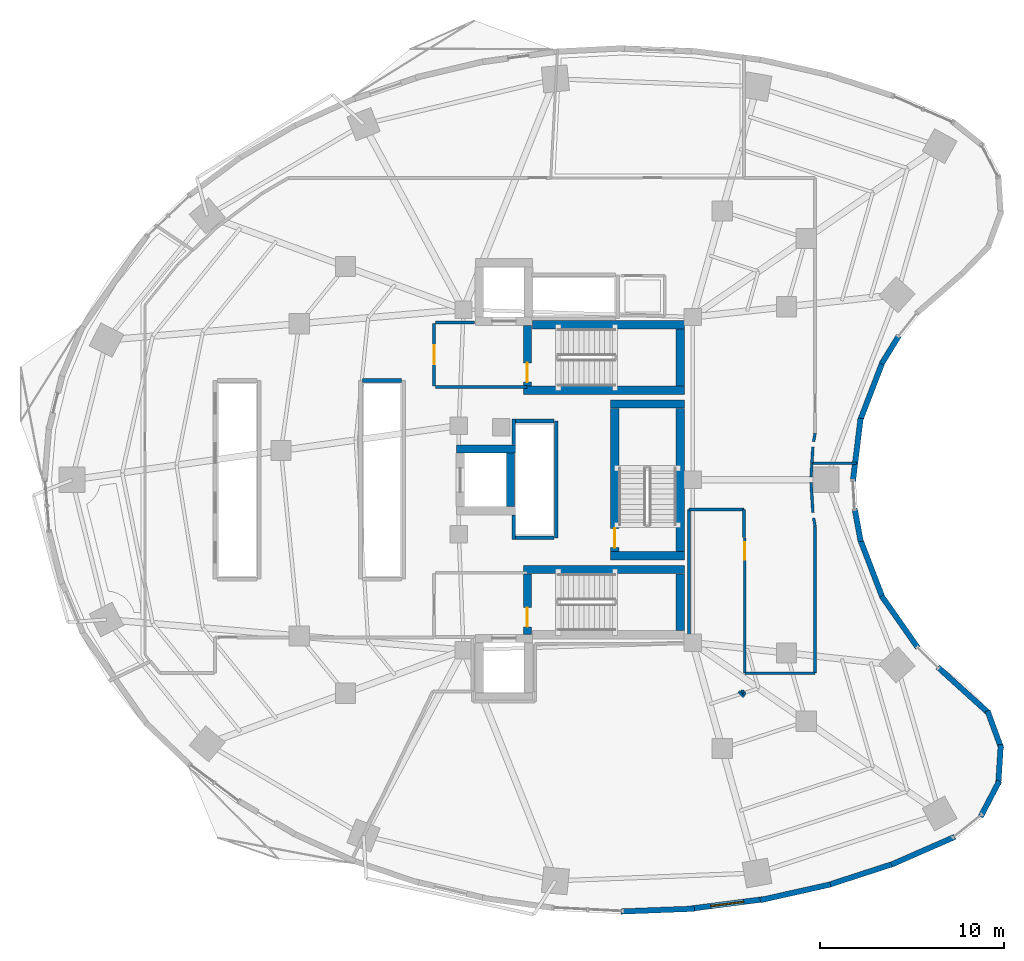
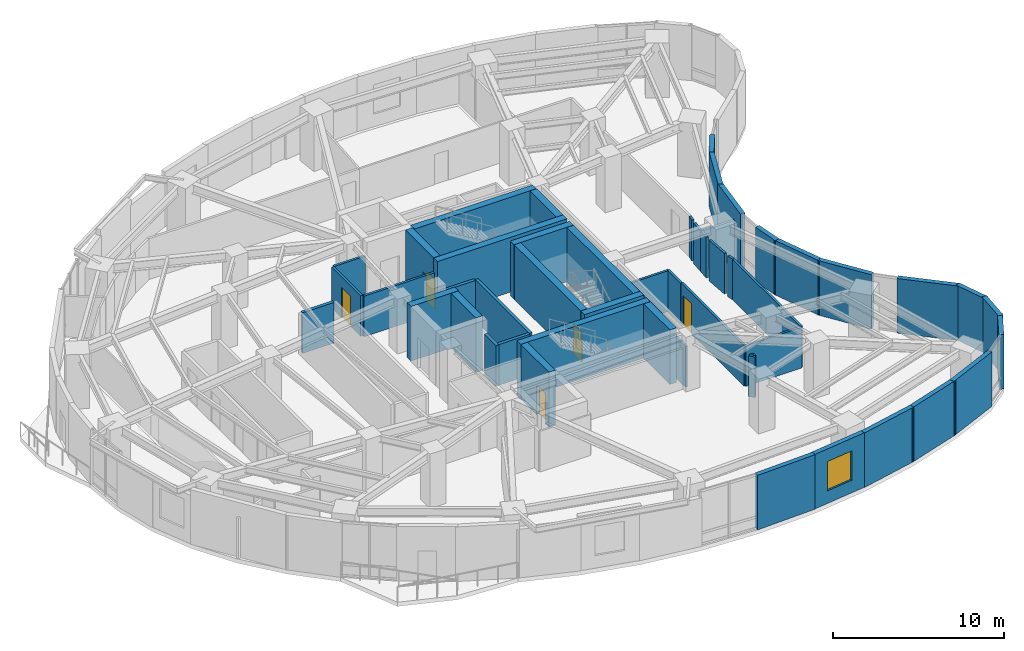
# One storey, part 9 of 13: 52 walls, 5 doors, 1 window, 6 openings.
"""IFC4 building model written with IfcOpenShell, lengths in metres."""

import ifcopenshell
import ifcopenshell.guid

model = None  # the IFC model being written
_history = None  # IfcOwnerHistory: only IFC2X3 demands one
_inside = {}  # id of a spatial element -> (the spatial element, [elements in it])
_under = {}  # id of a project, library or spatial element -> (it, [spatial elements below it])
_declared = {}  # id of a project -> (the project, [libraries it declares])
_typed = {}  # id of a type object -> (the type object, [elements of that type])
_made_of = {}  # id of a material, layer set ... -> (it, [elements and type objects made of it])


def new_model(schema):
    """Start an empty IFC model of exactly this schema.

    Asked for "IFC4X3", IfcOpenShell would pick the latest addendum, in which some entities
    have other attributes; the version numbers below select the first issue.
    IFC2X3 requires an IfcOwnerHistory on every rooted entity: one is made here for all.
    """
    global model, _history
    if schema == "IFC4X3":
        model = ifcopenshell.file(schema_version=(4, 3, 0, 0))
    else:
        model = ifcopenshell.file(schema=schema)
    _inside.clear()
    _under.clear()
    _declared.clear()
    _typed.clear()
    _made_of.clear()
    _history = None
    if model.schema == "IFC2X3":
        org = make("IfcOrganization", Name="unknown")
        user = make(
            "IfcPersonAndOrganization",
            ThePerson=make("IfcPerson", FamilyName="unknown"),
            TheOrganization=org,
        )
        app = make(
            "IfcApplication",
            ApplicationDeveloper=org,
            Version="unknown",
            ApplicationFullName="unknown",
            ApplicationIdentifier="unknown",
        )
        _history = make(
            "IfcOwnerHistory",
            OwningUser=user,
            OwningApplication=app,
            ChangeAction="ADDED",
            CreationDate=0,
        )
    return model


def make(cls, **values):
    """One entity of the class cls with the attributes given. An attribute that is None is left unset."""
    return model.create_entity(
        cls, **{name: value for name, value in values.items() if value is not None}
    )


def rooted(cls, **values):
    """An entity with a GlobalId (a new one), such as an element, a storey or a relation."""
    return make(cls, GlobalId=ifcopenshell.guid.new(), OwnerHistory=_history, **values)


def si_unit(unit_type, name, prefix=None):
    """IfcSIUnit, for example si_unit("LENGTHUNIT", "METRE", prefix="MILLI")."""
    return make("IfcSIUnit", UnitType=unit_type, Prefix=prefix, Name=name)


def assignment(units):
    """IfcUnitAssignment: the units of a project."""
    return None if units is None else make("IfcUnitAssignment", Units=units)


def point(xyz):
    """IfcCartesianPoint."""
    return None if xyz is None else make("IfcCartesianPoint", Coordinates=xyz)


def direction(xyz):
    """IfcDirection."""
    return None if xyz is None else make("IfcDirection", DirectionRatios=xyz)


def frame(location, z_axis=None, x_axis=None):
    """IfcAxis2Placement3D, a coordinate frame: its origin and axes. An axis left out is left unset."""
    return make(
        "IfcAxis2Placement3D",
        Location=point(location),
        Axis=direction(z_axis),
        RefDirection=direction(x_axis),
    )


def frame_2d(location, x_axis=None):
    """IfcAxis2Placement2D, a coordinate frame in the plane: its origin and x axis."""
    return make(
        "IfcAxis2Placement2D", Location=point(location), RefDirection=direction(x_axis)
    )


def origin():
    """The frame at (0, 0, 0) with its axes left unset."""
    return frame((0.0, 0.0, 0.0))


def place(relative_to, where):
    """IfcLocalPlacement: puts the frame where relative to a parent placement (None: the world)."""
    return make(
        "IfcLocalPlacement", PlacementRelTo=relative_to, RelativePlacement=where
    )


def context(
    kind, dimensions, precision=None, world=None, true_north=None, identifier=None
):
    """IfcGeometricRepresentationContext, for example the 3D "Model" context."""
    return make(
        "IfcGeometricRepresentationContext",
        ContextIdentifier=identifier,
        ContextType=kind,
        CoordinateSpaceDimension=dimensions,
        Precision=precision,
        WorldCoordinateSystem=world,
        TrueNorth=true_north,
    )


def subcontext(parent, identifier, kind, view, scale=None):
    """IfcGeometricRepresentationSubContext, for example "Body" below "Model"."""
    return make(
        "IfcGeometricRepresentationSubContext",
        ContextIdentifier=identifier,
        ContextType=kind,
        ParentContext=parent,
        TargetScale=scale,
        TargetView=view,
    )


def project(units=None, contexts=None):
    """IfcProject with its units and contexts."""
    return rooted(
        "IfcProject",
        Name="project",
        RepresentationContexts=contexts,
        UnitsInContext=assignment(units),
    )


def spatial(cls, under=None, at=None, **own):
    """A site, building, storey or space (cls), placed at a placement, below another one or the project."""
    s = rooted(cls, ObjectPlacement=at, **own)
    if under is not None:
        _under.setdefault(under.id(), (under, []))[1].append(s)
    return s


def profile(cls, at=None, kind="AREA", **sizes):
    """A parametric profile (cls). Its sizes go by their IFC names, for example OverallWidth=200.0."""
    return make(cls, ProfileType=kind, Position=at, **sizes)


def rectangle(**sizes):
    """IfcRectangleProfileDef."""
    return profile("IfcRectangleProfileDef", **sizes)


def extrude(swept, where, along, depth):
    """IfcExtrudedAreaSolid: the profile swept, set in the frame where, extruded along a direction by depth."""
    return make(
        "IfcExtrudedAreaSolid",
        SweptArea=swept,
        Position=where,
        ExtrudedDirection=direction(along),
        Depth=depth,
    )


def shape(context_of_items, identifier, shape_type, items):
    """IfcShapeRepresentation: the items that make up one representation, for example the "Body"."""
    return make(
        "IfcShapeRepresentation",
        ContextOfItems=context_of_items,
        RepresentationIdentifier=identifier,
        RepresentationType=shape_type,
        Items=items,
    )


def material(Name=None, Category=None):
    """IfcMaterial."""
    return make("IfcMaterial", Name=Name, Category=Category)


def layer(
    of_material, thickness, ventilated=None, Name=None, Category=None, Priority=None
):
    """IfcMaterialLayer: one layer of a wall or slab, of a material (None: an air gap)."""
    return make(
        "IfcMaterialLayer",
        Material=of_material,
        LayerThickness=thickness,
        IsVentilated=ventilated,
        Name=Name,
        Category=Category,
        Priority=Priority,
    )


def layer_set(layers, Name=None):
    """IfcMaterialLayerSet."""
    return make("IfcMaterialLayerSet", MaterialLayers=layers, LayerSetName=Name)


def made_of(thing, what):
    """Note that an element or type object is made of a material, layer set ...; save() writes the relation."""
    if what is not None:
        _made_of.setdefault(what.id(), (what, []))[1].append(thing)
    return thing


def type_object(cls, material=None, **own):
    """A type object (cls), such as IfcWallType, which elements share."""
    return made_of(rooted(cls, **own), material)


def element(
    cls,
    number,
    at=None,
    inside=None,
    cuts=None,
    type_object=None,
    material=None,
    context=None,
    identifier="Body",
    shape_type=None,
    held_by="IfcProductDefinitionShape",
    body=None,
    shapes=None,
    **own,
):
    """One element of the class cls, such as IfcWall. Its Tag is "e" and its number.

    at: its placement. inside: the storey or other place that contains it. cuts: it is an
    opening in that element (IfcRelVoidsElement). A single representation is given by context,
    identifier, shape_type and body (its items); several are given by shapes. held_by: the class
    of the entity that holds the representations. save() writes the other relations.
    """
    e = rooted(cls, Tag="e%d" % number, ObjectPlacement=at, **own)
    if body is not None:
        shapes = [shape(context, identifier, shape_type, body)]
    if shapes is not None:
        e.Representation = make(held_by, Representations=shapes)
    if inside is not None:
        _inside.setdefault(inside.id(), (inside, []))[1].append(e)
    if cuts is not None:
        rooted(
            "IfcRelVoidsElement", RelatingBuildingElement=cuts, RelatedOpeningElement=e
        )
    if type_object is not None:
        _typed.setdefault(type_object.id(), (type_object, []))[1].append(e)
    return made_of(e, material)


def fill(opening, filler):
    """IfcRelFillsElement: the door or window that sits in an opening."""
    return rooted(
        "IfcRelFillsElement",
        RelatingOpeningElement=opening,
        RelatedBuildingElement=filler,
    )


def aggregate(whole, parts):
    """IfcRelAggregates: a whole, such as a stair, and the parts it consists of."""
    return rooted("IfcRelAggregates", RelatingObject=whole, RelatedObjects=parts)


def save(model, path):
    """Write the relations noted so far, then the file.

    IfcRelAggregates (storeys below a building ...), IfcRelContainedInSpatialStructure (elements
    in a storey), IfcRelDefinesByType, IfcRelAssociatesMaterial and IfcRelDeclares: one each for
    every whole, place, type object, material and project.
    """
    for whole, parts in _under.values():
        aggregate(whole, parts)
    for where, things in _inside.values():
        rooted(
            "IfcRelContainedInSpatialStructure",
            RelatedElements=things,
            RelatingStructure=where,
        )
    for kind, things in _typed.values():
        rooted("IfcRelDefinesByType", RelatedObjects=things, RelatingType=kind)
    for what, things in _made_of.values():
        rooted("IfcRelAssociatesMaterial", RelatedObjects=things, RelatingMaterial=what)
    for by, libraries in _declared.values():
        rooted("IfcRelDeclares", RelatingContext=by, RelatedDefinitions=libraries)
    model.write(path)


model = new_model("IFC4")

# Units and contexts
model_context = context("Model", 3, precision=1e-05, world=origin(), true_north=direction((0.0, 1.0)))
body_context = subcontext(model_context, "Body", "Model", "MODEL_VIEW")
ifc_project = project(units=[si_unit("LENGTHUNIT", "METRE"), si_unit("AREAUNIT", "SQUARE_METRE"), si_unit("VOLUMEUNIT", "CUBIC_METRE"), si_unit("PLANEANGLEUNIT", "RADIAN"), si_unit("MASSUNIT", "GRAM", prefix="KILO")], contexts=[model_context])

# Site, building, storey
site_placement = place(None, origin())
site = spatial("IfcSite", under=ifc_project, at=site_placement, CompositionType="ELEMENT")
building_placement = place(site_placement, origin())
building = spatial("IfcBuilding", under=site, at=building_placement, Name="Korentha Bioscience Tower", CompositionType="ELEMENT")
storey_placement = place(building_placement, frame((0.0, 0.0, 67.800048828125)))
storey = spatial("IfcBuildingStorey", under=building, at=storey_placement, Name="L15", CompositionType="ELEMENT", Elevation=67.800048828125)

# Wall, opening, door
ifc_material_1 = material(Name="Double-Stud Acoustic Gypsum", Category="gypsum")
ifc_layer_1 = layer(ifc_material_1, 0.14990234375, Name="Double-Stud Acoustic Gypsum")
ifc_layer_set_1 = layer_set([ifc_layer_1], Name="Double-Stud Acoustic Gypsum (IW-L150)")
wall_type_1 = type_object("IfcWallType", Name="Acoustic Laboratory Partition Wall 150", PredefinedType="PARTITIONING", material=ifc_layer_set_1)
wall_1_placement = place(storey_placement, frame((40.389892578125, 23.851318359375, 0.0), z_axis=(0.0, 0.0, 1.0), x_axis=(0.0, -1.0, 0.0)))
wall_1 = element("IfcWall", 1, at=wall_1_placement, inside=storey, type_object=wall_type_1, Name="L15 Biomechanical Motion Analysis Lab 02 Entrance Wall", PredefinedType="PARTITIONING", context=body_context, shape_type="SweptSolid", body=[
    extrude(rectangle(XDim=7.351318359375, YDim=0.14990234375, at=frame_2d((3.67578125, 0.0))), origin(), (0.0, 0.0, 1.0), 2.909912109375),
])
opening_1_placement = place(wall_1_placement, frame((0.239990234375, 0.0, 0.0)))
opening_1 = element("IfcOpeningElement", 2, at=opening_1_placement, cuts=wall_1, Name="Opening ID-10R", PredefinedType="OPENING", context=body_context, shape_type="SweptSolid", body=[
    extrude(rectangle(XDim=0.949951171875, YDim=2.14990234375, at=frame_2d((0.47509765625, 1.074951171875))), frame((0.0, 0.08984375, 0.0), z_axis=(0.0, -1.0, 0.0), x_axis=(1.0, 0.0, 0.0)), (0.0, 0.0, 1.0), 0.1796875),
])
ifc_material_2 = material(Name="Phenolic Laminate Timber Core", Category="wood")
door_type_1 = type_object("IfcDoorType", Name="Laboratory Single Leaf Door 950x2150 Right", OperationType="SINGLE_SWING_RIGHT", PredefinedType="DOOR", material=ifc_material_2)
door_1_placement = place(opening_1_placement, origin())
door_1 = element("IfcDoor", 3, at=door_1_placement, inside=storey, type_object=door_type_1, Name="L15 Biomechanical Motion Analysis Lab 02 Door", OperationType="SINGLE_SWING_RIGHT", OverallHeight=2.14990234375, OverallWidth=0.949951171875, PredefinedType="DOOR", context=body_context, shape_type="SweptSolid", body=[
    extrude(rectangle(XDim=0.949951171875, YDim=2.14990234375, at=frame_2d((0.47509765625, 1.074951171875))), frame((0.0, 0.02490234375, 0.0), z_axis=(0.0, -1.0, 0.0), x_axis=(1.0, 0.0, 0.0)), (0.0, 0.0, 1.0), 0.050048828125),
])
fill(opening_1, door_1)

# Walls
wall_2_placement = place(storey_placement, frame((37.360107421875, 18.10009765625, 0.0), z_axis=(0.0, 0.0, 1.0), x_axis=(0.0, 1.0, 0.0)))
element("IfcWall", 4, at=wall_2_placement, inside=storey, type_object=wall_type_1, Name="L15 Interior Partition 021", PredefinedType="PARTITIONING", context=body_context, shape_type="SweptSolid", body=[
    extrude(rectangle(XDim=7.289794921875, YDim=0.14990234375, at=frame_2d((3.64501953125, 0.0))), origin(), (0.0, 0.0, 1.0), 2.909912109375),
])
wall_3_placement = place(storey_placement, frame((37.360107421875, 25.389892578125, 0.0), z_axis=(0.0, 0.0, 1.0), x_axis=(1.0, 0.0, 0.0)))
element("IfcWall", 5, at=wall_3_placement, inside=storey, type_object=wall_type_1, Name="L15 Interior Partition 022", PredefinedType="PARTITIONING", context=body_context, shape_type="SweptSolid", body=[
    extrude(rectangle(XDim=2.98779296875, YDim=0.14990234375, at=frame_2d((1.493896484375, 0.0))), origin(), (0.0, 0.0, 1.0), 2.909912109375),
])
wall_4_placement = place(storey_placement, frame((40.347900390625, 25.389892578125, 0.0), z_axis=(0.0, 0.0, 1.0), x_axis=(0.0, -1.0, 0.0)))
element("IfcWall", 6, at=wall_4_placement, inside=storey, type_object=wall_type_1, Name="L15 Interior Partition 023", PredefinedType="PARTITIONING", context=body_context, shape_type="SweptSolid", body=[
    extrude(rectangle(XDim=1.522705078125, YDim=0.14990234375, at=frame_2d((0.76123046875, 0.0))), origin(), (0.0, 0.0, 1.0), 2.909912109375),
])
wall_5_placement = place(storey_placement, frame((40.39990234375, 16.489990234375, 0.0), z_axis=(0.0, 0.0, 1.0), x_axis=(1.0, 0.0, 0.0)))
element("IfcWall", 7, at=wall_5_placement, inside=storey, type_object=wall_type_1, Name="L15 Interior Partition 024", PredefinedType="PARTITIONING", context=body_context, shape_type="SweptSolid", body=[
    extrude(rectangle(XDim=3.800048828125, YDim=0.14990234375, at=frame_2d((1.89990234375, 0.0))), origin(), (0.0, 0.0, 1.0), 2.909912109375),
])
wall_6_placement = place(storey_placement, frame((44.2099609375, 16.5, 0.0), z_axis=(0.0, 0.0, 1.0), x_axis=(0.0, 1.0, 0.0)))
element("IfcWall", 8, at=wall_6_placement, inside=storey, type_object=wall_type_1, Name="L15 Interior Partition 025", PredefinedType="PARTITIONING", context=body_context, shape_type="SweptSolid", body=[
    extrude(rectangle(XDim=7.970458984375, YDim=0.14990234375, at=frame_2d((3.9853515625, 0.0))), origin(), (0.0, 0.0, 1.0), 2.909912109375),
])
wall_7_placement = place(storey_placement, frame((44.209716796875, 24.47216796875, 0.0), z_axis=(0.0, 0.0, 1.0), x_axis=(-0.181936414242, 0.983310297502, 0.0)))
element("IfcWall", 9, at=wall_7_placement, inside=storey, type_object=wall_type_1, Name="L15 Interior Partition 026", PredefinedType="PARTITIONING", context=body_context, shape_type="SweptSolid", body=[
    extrude(rectangle(XDim=0.45751953125, YDim=0.14990234375, at=frame_2d((0.228759765625, 0.0))), origin(), (0.0, 0.0, 1.0), 2.909912109375),
])
wall_8_placement = place(storey_placement, frame((44.090087890625, 25.217041015625, 0.0), z_axis=(0.0, 0.0, 1.0), x_axis=(-0.060976688407, 0.998139190429, 0.0)))
element("IfcWall", 10, at=wall_8_placement, inside=storey, type_object=wall_type_1, Name="L15 Interior Partition 027", PredefinedType="PARTITIONING", context=body_context, shape_type="SweptSolid", body=[
    extrude(rectangle(XDim=1.637451171875, YDim=0.14990234375, at=frame_2d((0.81884765625, 0.0))), origin(), (0.0, 0.0, 1.0), 2.909912109375),
])
wall_9_placement = place(storey_placement, frame((43.990234375, 27.1484375, 0.0), z_axis=(0.0, 0.0, 1.0), x_axis=(0.061123284078, 0.998130224041, 0.0)))
element("IfcWall", 11, at=wall_9_placement, inside=storey, type_object=wall_type_1, Name="L15 Interior Partition 028", PredefinedType="PARTITIONING", context=body_context, shape_type="SweptSolid", body=[
    extrude(rectangle(XDim=0.7509765625, YDim=0.14990234375, at=frame_2d((0.37548828125, 0.0))), origin(), (0.0, 0.0, 1.0), 2.909912109375),
])
wall_10_placement = place(storey_placement, frame((44.0361328125, 27.89794921875, 0.0), z_axis=(0.0, 0.0, 1.0), x_axis=(1.0, 0.0, 0.0)))
element("IfcWall", 12, at=wall_10_placement, inside=storey, type_object=wall_type_1, Name="L15 Interior Partition 029", PredefinedType="PARTITIONING", context=body_context, shape_type="SweptSolid", body=[
    extrude(rectangle(XDim=2.4140625, YDim=0.14990234375, at=frame_2d((1.20703125, 0.0))), origin(), (0.0, 0.0, 1.0), 2.909912109375),
])
wall_11_placement = place(storey_placement, frame((40.35205078125, 15.311767578125, 0.0), z_axis=(0.0, 0.0, 1.0), x_axis=(0.0, 1.0, 0.0)))
element("IfcWall", 13, at=wall_11_placement, inside=storey, type_object=wall_type_1, Name="L15 Interior Partition 031", PredefinedType="PARTITIONING", context=body_context, shape_type="SweptSolid", body=[
    extrude(rectangle(XDim=0.18603515625, YDim=0.14990234375, at=frame_2d((0.093017578125, 0.0))), origin(), (0.0, 0.0, 1.0), 2.909912109375),
])
wall_12_placement = place(storey_placement, frame((40.347900390625, 15.501953125, 0.0), z_axis=(0.0, 0.0, 1.0), x_axis=(-1.0, 0.0, 0.0)))
element("IfcWall", 14, at=wall_12_placement, inside=storey, type_object=wall_type_1, Name="L15 Interior Partition 032", PredefinedType="PARTITIONING", context=body_context, shape_type="SweptSolid", body=[
    extrude(rectangle(XDim=0.17919921875, YDim=0.14990234375, at=frame_2d((0.089599609375, 0.0))), origin(), (0.0, 0.0, 1.0), 2.909912109375),
])
wall_13_placement = place(storey_placement, frame((40.06689453125, 15.4951171875, 0.0), z_axis=(0.0, 0.0, 1.0), x_axis=(0.694203183931, -0.719779090708, 0.0)))
element("IfcWall", 15, at=wall_13_placement, inside=storey, type_object=wall_type_1, Name="L15 Interior Partition 033", PredefinedType="PARTITIONING", context=body_context, shape_type="SweptSolid", body=[
    extrude(rectangle(XDim=0.40087890625, YDim=0.14990234375, at=frame_2d((0.200439453125, 0.0))), origin(), (0.0, 0.0, 1.0), 2.909912109375),
])
wall_14_placement = place(storey_placement, frame((44.03662109375, 27.907958984375, 0.0), z_axis=(0.0, 0.0, 1.0), x_axis=(0.060991152113, 0.998138306731, 0.0)))
element("IfcWall", 16, at=wall_14_placement, inside=storey, type_object=wall_type_1, Name="L15 Interior Partition 034", PredefinedType="PARTITIONING", context=body_context, shape_type="SweptSolid", body=[
    extrude(rectangle(XDim=0.876708984375, YDim=0.14990234375, at=frame_2d((0.4384765625, 0.0))), origin(), (0.0, 0.0, 1.0), 2.909912109375),
])
wall_15_placement = place(storey_placement, frame((44.12646484375, 29.077880859375, 0.0), z_axis=(0.0, 0.0, 1.0), x_axis=(0.181936414242, 0.983310297502, 0.0)))
element("IfcWall", 17, at=wall_15_placement, inside=storey, type_object=wall_type_1, Name="L15 Interior Partition 035", PredefinedType="PARTITIONING", context=body_context, shape_type="SweptSolid", body=[
    extrude(rectangle(XDim=0.45751953125, YDim=0.14990234375, at=frame_2d((0.228759765625, 0.0))), origin(), (0.0, 0.0, 1.0), 2.909912109375),
])

# Wall, opening, door
ifc_material_3 = material(Name="Gypsum-Clad Steel Stud", Category="steel")
ifc_layer_2 = layer(ifc_material_3, 0.159912109375, Name="Gypsum-Clad Steel Stud")
ifc_layer_set_2 = layer_set([ifc_layer_2], Name="Gypsum-Clad Steel Stud (IW-C160)")
wall_type_2 = type_object("IfcWallType", Name="Fire-Rated Corridor Partition Wall 160", PredefinedType="PARTITIONING", material=ifc_layer_set_2)
wall_16_placement = place(storey_placement, frame((23.5, 32.10009765625, 0.0), z_axis=(0.0, 0.0, 1.0), x_axis=(0.0, 1.0, 0.0)))
wall_16 = element("IfcWall", 18, at=wall_16_placement, inside=storey, type_object=wall_type_2, Name="L15 FFLN-CW Rated Enclosure Wall", PredefinedType="PARTITIONING", context=body_context, shape_type="SweptSolid", body=[
    extrude(rectangle(XDim=3.39990234375, YDim=0.159912109375, at=frame_2d((1.699951171875, 0.0))), origin(), (0.0, 0.0, 1.0), 2.909912109375),
])
opening_2_placement = place(wall_16_placement, frame((1.175048828125, 0.0, 0.0)))
opening_2 = element("IfcOpeningElement", 19, at=opening_2_placement, cuts=wall_16, Name="Opening FD-90R", PredefinedType="OPENING", context=body_context, shape_type="SweptSolid", body=[
    extrude(rectangle(XDim=1.050048828125, YDim=2.14990234375, at=frame_2d((0.52490234375, 1.074951171875))), frame((0.0, 0.0947265625, 0.0), z_axis=(0.0, -1.0, 0.0), x_axis=(1.0, 0.0, 0.0)), (0.0, 0.0, 1.0), 0.189697265625),
])
ifc_material_4 = material(Name="Powder-Coated Fire-Rated Steel", Category="steel")
door_type_2 = type_object("IfcDoorType", Name="Stairwell Fire Exit Door 1050x2150 Right", OperationType="SINGLE_SWING_RIGHT", PredefinedType="DOOR", material=ifc_material_4)
door_2_placement = place(opening_2_placement, origin())
door_2 = element("IfcDoor", 20, at=door_2_placement, inside=storey, type_object=door_type_2, Name="L15 North Firefighting Lobby Door", OperationType="SINGLE_SWING_RIGHT", OverallHeight=2.14990234375, OverallWidth=1.050048828125, PredefinedType="DOOR", context=body_context, shape_type="SweptSolid", body=[
    extrude(rectangle(XDim=1.050048828125, YDim=2.14990234375, at=frame_2d((0.52490234375, 1.074951171875))), frame((0.0, 0.02490234375, 0.0), z_axis=(0.0, -1.0, 0.0), x_axis=(1.0, 0.0, 0.0)), (0.0, 0.0, 1.0), 0.050048828125),
])
fill(opening_2, door_2)

# Walls
wall_17_placement = place(storey_placement, frame((23.580078125, 32.050048828125, 0.0), z_axis=(0.0, 0.0, 1.0), x_axis=(1.0, 0.0, 0.0)))
element("IfcWall", 21, at=wall_17_placement, inside=storey, type_object=wall_type_2, Name="L15 Firefighting Lobby Return Wall FFLN-S", PredefinedType="PARTITIONING", context=body_context, shape_type="SweptSolid", body=[
    extrude(rectangle(XDim=4.969970703125, YDim=0.159912109375, at=frame_2d((2.48486328125, 0.0))), origin(), (0.0, 0.0, 1.0), 2.909912109375),
])
wall_18_placement = place(storey_placement, frame((23.580078125, 35.550048828125, 0.0), z_axis=(0.0, 0.0, 1.0), x_axis=(1.0, 0.0, 0.0)))
element("IfcWall", 22, at=wall_18_placement, inside=storey, type_object=wall_type_2, Name="L15 Firefighting Lobby Return Wall FFLN-N", PredefinedType="PARTITIONING", context=body_context, shape_type="SweptSolid", body=[
    extrude(rectangle(XDim=2.119873046875, YDim=0.159912109375, at=frame_2d((1.06005859375, 0.0))), origin(), (0.0, 0.0, 1.0), 2.909912109375),
])

# Wall, opening, window
ifc_material_5 = material(Name="Honed Limestone Precast Concrete C40", Category="masonry")
ifc_layer_3 = layer(ifc_material_5, 0.300048828125, Name="Honed Limestone Precast Concrete C40")
ifc_layer_set_3 = layer_set([ifc_layer_3], Name="Honed Limestone Precast Concrete C40 (EW-ST300)")
wall_type_3 = type_object("IfcWallType", Name="Honed Limestone Cavity Spandrel Wall 300", PredefinedType="STANDARD", material=ifc_layer_set_3)
wall_19_placement = place(storey_placement, frame((37.4892578125, 3.7001953125, 0.0), z_axis=(0.0, 0.0, 1.0), x_axis=(0.991741322416, 0.128254237408, 0.0)))
wall_19 = element("IfcWall", 23, at=wall_19_placement, inside=storey, type_object=wall_type_3, Name="L15 Honed Limestone Spandrel Wall 33", PredefinedType="STANDARD", context=body_context, shape_type="SweptSolid", body=[
    extrude(rectangle(XDim=3.91552734375, YDim=0.300048828125, at=frame_2d((1.957763671875, 0.0))), origin(), (0.0, 0.0, 1.0), 3.89990234375),
])
opening_3_placement = place(wall_19_placement, frame((1.057861328125, 0.0, 0.89990234375)))
opening_3 = element("IfcOpeningElement", 24, at=opening_3_placement, cuts=wall_19, Name="Opening WN-01", PredefinedType="OPENING", context=body_context, shape_type="SweptSolid", body=[
    extrude(rectangle(XDim=1.800048828125, YDim=2.10009765625, at=frame_2d((0.89990234375, 1.050048828125))), frame((0.0, 0.1650390625, 0.0), z_axis=(0.0, -1.0, 0.0), x_axis=(1.0, 0.0, 0.0)), (0.0, 0.0, 1.0), 0.329833984375),
])
ifc_material_6 = material(Name="Thermally Broken Aluminium Triple Glazing", Category="aluminium")
window_type = type_object("IfcWindowType", Name="Triple-Glazed Fixed Bioscience Window 1800x2100", PartitioningType="SINGLE_PANEL", PredefinedType="WINDOW", material=ifc_material_6)
window_placement = place(opening_3_placement, origin())
window = element("IfcWindow", 25, at=window_placement, inside=storey, type_object=window_type, Name="L15 Facade Window 33", OverallHeight=2.10009765625, OverallWidth=1.800048828125, PartitioningType="SINGLE_PANEL", PredefinedType="WINDOW", context=body_context, shape_type="SweptSolid", body=[
    extrude(rectangle(XDim=1.800048828125, YDim=2.10009765625, at=frame_2d((0.89990234375, 1.050048828125))), frame((0.0, 0.030029296875, 0.0), z_axis=(0.0, -1.0, 0.0), x_axis=(1.0, 0.0, 0.0)), (0.0, 0.0, 1.0), 0.06005859375),
])
fill(opening_3, window)

# Walls
wall_20_placement = place(storey_placement, frame((33.66796875, 3.53759765625, 0.0), z_axis=(0.0, 0.0, 1.0), x_axis=(0.999245411623, 0.038840794937, 0.0)))
element("IfcWall", 26, at=wall_20_placement, inside=storey, type_object=wall_type_3, Name="L15 Limestone Perimeter Closure Wall 32", PredefinedType="STANDARD", context=body_context, shape_type="SweptSolid", body=[
    extrude(rectangle(XDim=3.978759765625, YDim=0.300048828125, at=frame_2d((1.9892578125, 0.0))), origin(), (0.0, 0.0, 1.0), 3.89990234375),
])
wall_21_placement = place(storey_placement, frame((41.22509765625, 4.1552734375, 0.0), z_axis=(0.0, 0.0, 1.0), x_axis=(0.975868573345, 0.218358713032, 0.0)))
element("IfcWall", 27, at=wall_21_placement, inside=storey, type_object=wall_type_3, Name="L15 Limestone Perimeter Closure Wall 34", PredefinedType="STANDARD", context=body_context, shape_type="SweptSolid", body=[
    extrude(rectangle(XDim=3.90869140625, YDim=0.300048828125, at=frame_2d((1.954345703125, 0.0))), origin(), (0.0, 0.0, 1.0), 3.89990234375),
])
wall_22_placement = place(storey_placement, frame((44.872802734375, 4.963134765625, 0.0), z_axis=(0.0, 0.0, 1.0), x_axis=(0.950965833732, 0.309295947393, 0.0)))
element("IfcWall", 28, at=wall_22_placement, inside=storey, type_object=wall_type_3, Name="L15 Limestone Perimeter Closure Wall 35", PredefinedType="STANDARD", context=body_context, shape_type="SweptSolid", body=[
    extrude(rectangle(XDim=3.840087890625, YDim=0.300048828125, at=frame_2d((1.919921875, 0.0))), origin(), (0.0, 0.0, 1.0), 3.89990234375),
])
wall_23_placement = place(storey_placement, frame((48.3623046875, 6.089111328125, 0.0), z_axis=(0.0, 0.0, 1.0), x_axis=(0.915945168042, 0.401303437738, 0.0)))
element("IfcWall", 29, at=wall_23_placement, inside=storey, type_object=wall_type_3, Name="L15 Limestone Perimeter Closure Wall 36", PredefinedType="STANDARD", context=body_context, shape_type="SweptSolid", body=[
    extrude(rectangle(XDim=3.75244140625, YDim=0.300048828125, at=frame_2d((1.876220703125, 0.0))), origin(), (0.0, 0.0, 1.0), 3.89990234375),
])
wall_24_placement = place(storey_placement, frame((53.20751953125, 8.691650390625, 0.0), z_axis=(0.0, 0.0, 1.0), x_axis=(0.463035066673, 0.886339961319, 0.0)))
element("IfcWall", 30, at=wall_24_placement, inside=storey, type_object=wall_type_3, Name="L15 Limestone Perimeter Closure Wall 38", PredefinedType="STANDARD", context=body_context, shape_type="SweptSolid", body=[
    extrude(rectangle(XDim=2.1875, YDim=0.300048828125, at=frame_2d((1.09375, 0.0))), origin(), (0.0, 0.0, 1.0), 3.89990234375),
])
for number, where, z_axis, x_axis, name in (
    (31, (54.16259765625, 10.42431640625, 0.0), (0.0, 0.0, 1.0), (0.064615302336, 0.99791024782, 0.0), "L15 Limestone Perimeter Closure Wall 39"),
    (32, (54.334716796875, 12.39501953125, 0.0), (0.0, 0.0, 1.0), (-0.344939866054, 0.938624785954, 0.0), "L15 Limestone Perimeter Closure Wall 40"),
):
    element("IfcWall", number, at=place(storey_placement, frame(where, z_axis=z_axis, x_axis=x_axis)), inside=storey, type_object=wall_type_3, Name=name, PredefinedType="STANDARD", context=body_context, shape_type="SweptSolid", body=[
        extrude(rectangle(XDim=2.187744140625, YDim=0.300048828125, at=frame_2d((1.09375, 0.0))), origin(), (0.0, 0.0, 1.0), 3.89990234375),
    ])
wall_25_placement = place(storey_placement, frame((53.704345703125, 14.26416015625, 0.0), z_axis=(0.0, 0.0, 1.0), x_axis=(-0.74117794387, 0.671308614216, 0.0)))
element("IfcWall", 33, at=wall_25_placement, inside=storey, type_object=wall_type_3, Name="L15 Limestone Perimeter Closure Wall 41", PredefinedType="STANDARD", context=body_context, shape_type="SweptSolid", body=[
    extrude(rectangle(XDim=3.815673828125, YDim=0.300048828125, at=frame_2d((1.90771484375, 0.0))), origin(), (0.0, 0.0, 1.0), 3.89990234375),
])
wall_26_placement = place(storey_placement, frame((49.79248046875, 17.8779296875, 0.0), z_axis=(0.0, 0.0, 1.0), x_axis=(-0.573576992806, 0.819151654655, 0.0)))
element("IfcWall", 34, at=wall_26_placement, inside=storey, type_object=wall_type_3, Name="L15 Limestone Perimeter Closure Wall 44", PredefinedType="STANDARD", context=body_context, shape_type="SweptSolid", body=[
    extrude(rectangle(XDim=3.429931640625, YDim=0.300048828125, at=frame_2d((1.71484375, 0.0))), origin(), (0.0, 0.0, 1.0), 3.89990234375),
])
wall_27_placement = place(storey_placement, frame((47.8837890625, 20.577392578125, 0.0), z_axis=(0.0, 0.0, 1.0), x_axis=(-0.358344570513, 0.933589400531, 0.0)))
element("IfcWall", 35, at=wall_27_placement, inside=storey, type_object=wall_type_3, Name="L15 Limestone Perimeter Closure Wall 46", PredefinedType="STANDARD", context=body_context, shape_type="SweptSolid", body=[
    extrude(rectangle(XDim=3.4296875, YDim=0.300048828125, at=frame_2d((1.71484375, 0.0))), origin(), (0.0, 0.0, 1.0), 3.89990234375),
])
wall_28_placement = place(storey_placement, frame((46.691162109375, 23.650390625, 0.0), z_axis=(0.0, 0.0, 1.0), x_axis=(-0.182230271073, 0.983255881399, 0.0)))
element("IfcWall", 36, at=wall_28_placement, inside=storey, type_object=wall_type_3, Name="L15 Limestone Perimeter Closure Wall 48", PredefinedType="STANDARD", context=body_context, shape_type="SweptSolid", body=[
    extrude(rectangle(XDim=1.7978515625, YDim=0.300048828125, at=frame_2d((0.89892578125, 0.0))), origin(), (0.0, 0.0, 1.0), 3.89990234375),
])
for number, where, z_axis, x_axis, name in (
    (37, (46.26708984375, 26.937744140625, 0.0), (0.0, 0.0, 1.0), (0.121870386032, 0.992546023622, 0.0), "L15 Limestone Perimeter Closure Wall 50"),
    (38, (46.65478515625, 30.220703125, 0.0), (0.0, 0.0, 1.0), (0.358344570513, 0.933589400531, 0.0), "L15 Limestone Perimeter Closure Wall 52"),
):
    element("IfcWall", number, at=place(storey_placement, frame(where, z_axis=z_axis, x_axis=x_axis)), inside=storey, type_object=wall_type_3, Name=name, PredefinedType="STANDARD", context=body_context, shape_type="SweptSolid", body=[
        extrude(rectangle(XDim=3.4296875, YDim=0.300048828125, at=frame_2d((1.71484375, 0.0))), origin(), (0.0, 0.0, 1.0), 3.89990234375),
    ])
wall_29_placement = place(storey_placement, frame((47.82470703125, 33.302734375, 0.0), z_axis=(0.0, 0.0, 1.0), x_axis=(0.522520662875, 0.852626622191, 0.0)))
element("IfcWall", 39, at=wall_29_placement, inside=storey, type_object=wall_type_3, Name="L15 Limestone Perimeter Closure Wall 54", PredefinedType="STANDARD", context=body_context, shape_type="SweptSolid", body=[
    extrude(rectangle(XDim=1.7978515625, YDim=0.300048828125, at=frame_2d((0.89892578125, 0.0))), origin(), (0.0, 0.0, 1.0), 3.89990234375),
])
ifc_material_7 = material(Name="Autoclaved Aerated Concrete Block C25", Category="concrete")
ifc_layer_4 = layer(ifc_material_7, 0.199951171875, Name="Autoclaved Aerated Concrete Block C25")
ifc_layer_set_4 = layer_set([ifc_layer_4], Name="Autoclaved Aerated Concrete Block C25 (IW-S200)")
wall_type_4 = type_object("IfcWallType", Name="Lift and Riser Shaft Enclosure Wall 200", PredefinedType="PARTITIONING", material=ifc_layer_set_4)
wall_30_placement = place(storey_placement, frame((19.6201171875, 32.39990234375, 0.0), z_axis=(0.0, 0.0, 1.0), x_axis=(1.0, 0.0, 0.0)))
element("IfcWall", 40, at=wall_30_placement, inside=storey, type_object=wall_type_4, Name="L15 Lift Bank MID Shaft Wall +Y", PredefinedType="PARTITIONING", context=body_context, shape_type="SweptSolid", body=[
    extrude(rectangle(XDim=2.10986328125, YDim=0.199951171875, at=frame_2d((1.054931640625, 0.0))), origin(), (0.0, 0.0, 1.0), 2.909912109375),
])
wall_31_placement = place(storey_placement, frame((27.830078125, 23.75, 0.0), z_axis=(0.0, 0.0, 1.0), x_axis=(0.0, 1.0, 0.0)))
element("IfcWall", 41, at=wall_31_placement, inside=storey, type_object=wall_type_4, Name="L15 Lift Bank HIGH Shaft Wall -XS", PredefinedType="PARTITIONING", context=body_context, shape_type="SweptSolid", body=[
    extrude(rectangle(XDim=1.341064453125, YDim=0.199951171875, at=frame_2d((0.67041015625, 0.0))), origin(), (0.0, 0.0, 1.0), 2.909912109375),
])
wall_32_placement = place(storey_placement, frame((27.830078125, 28.908935546875, 0.0), z_axis=(0.0, 0.0, 1.0), x_axis=(0.0, 1.0, 0.0)))
element("IfcWall", 42, at=wall_32_placement, inside=storey, type_object=wall_type_4, Name="L15 Lift Bank HIGH Shaft Wall -XN", PredefinedType="PARTITIONING", context=body_context, shape_type="SweptSolid", body=[
    extrude(rectangle(XDim=1.39111328125, YDim=0.199951171875, at=frame_2d((0.695556640625, 0.0))), origin(), (0.0, 0.0, 1.0), 2.909912109375),
])
wall_33_placement = place(storey_placement, frame((30.14990234375, 23.85009765625, 0.0), z_axis=(0.0, 0.0, 1.0), x_axis=(0.0, 1.0, 0.0)))
element("IfcWall", 43, at=wall_33_placement, inside=storey, type_object=wall_type_4, Name="L15 Lift Bank HIGH Shaft Wall +X", PredefinedType="PARTITIONING", context=body_context, shape_type="SweptSolid", body=[
    extrude(rectangle(XDim=6.349853515625, YDim=0.199951171875, at=frame_2d((3.1748046875, 0.0))), origin(), (0.0, 0.0, 1.0), 2.909912109375),
])
for number, where, z_axis, x_axis, name in (
    (44, (27.93408203125, 23.85009765625, 0.0), (0.0, 0.0, 1.0), (1.0, 0.0, 0.0), "L15 Lift Bank HIGH Shaft Wall -Y"),
    (45, (27.93408203125, 30.199951171875, 0.0), (0.0, 0.0, 1.0), (1.0, 0.0, 0.0), "L15 Lift Bank HIGH Shaft Wall +Y"),
):
    element("IfcWall", number, at=place(storey_placement, frame(where, z_axis=z_axis, x_axis=x_axis)), inside=storey, type_object=wall_type_4, Name=name, PredefinedType="PARTITIONING", context=body_context, shape_type="SweptSolid", body=[
        extrude(rectangle(XDim=2.095947265625, YDim=0.199951171875, at=frame_2d((1.0478515625, 0.0))), origin(), (0.0, 0.0, 1.0), 2.909912109375),
    ])
ifc_material_8 = material(Name="Concrete C80", Category="concrete")
ifc_layer_5 = layer(ifc_material_8, 0.449951171875, Name="Concrete C80")
ifc_layer_set_5 = layer_set([ifc_layer_5], Name="Concrete C80 (CW-C80)")
wall_type_5 = type_object("IfcWallType", Name="Lower Core Shear Wall 450", PredefinedType="SHEAR", material=ifc_layer_set_5)
wall_34_placement = place(storey_placement, frame((28.85205078125, 35.425048828125, 0.0), z_axis=(0.0, 0.0, 1.0), x_axis=(1.0, 0.0, 0.0)))
element("IfcWall", 46, at=wall_34_placement, inside=storey, type_object=wall_type_5, Name="L15 Core Shear Wall ST1-N", PredefinedType="SHEAR", context=body_context, shape_type="SweptSolid", body=[
    extrude(rectangle(XDim=8.248046875, YDim=0.449951171875, at=frame_2d((4.1240234375, 0.0))), origin(), (0.0, 0.0, 1.0), 3.89990234375),
])
wall_35_placement = place(storey_placement, frame((28.35009765625, 31.875, 0.0), z_axis=(0.0, 0.0, 1.0), x_axis=(1.0, 0.0, 0.0)))
element("IfcWall", 47, at=wall_35_placement, inside=storey, type_object=wall_type_5, Name="L15 Core Shear Wall ST1-S", PredefinedType="SHEAR", context=body_context, shape_type="SweptSolid", body=[
    extrude(rectangle(XDim=8.75, YDim=0.449951171875, at=frame_2d((4.375, 0.0))), origin(), (0.0, 0.0, 1.0), 3.89990234375),
])
wall_36_placement = place(storey_placement, frame((36.875, 32.110107421875, 0.0), z_axis=(0.0, 0.0, 1.0), x_axis=(0.0, 1.0, 0.0)))
element("IfcWall", 48, at=wall_36_placement, inside=storey, type_object=wall_type_5, Name="L15 Core Shear Wall ST1-E", PredefinedType="SHEAR", context=body_context, shape_type="SweptSolid", body=[
    extrude(rectangle(XDim=3.079833984375, YDim=0.449951171875, at=frame_2d((1.5400390625, 0.0))), origin(), (0.0, 0.0, 1.0), 3.89990234375),
])

# Wall, opening, door
wall_37_placement = place(storey_placement, frame((28.574951171875, 32.110107421875, 0.0), z_axis=(0.0, 0.0, 1.0), x_axis=(0.0, 1.0, 0.0)))
wall_37 = element("IfcWall", 49, at=wall_37_placement, inside=storey, type_object=wall_type_5, Name="L15 Core Shear Wall ST1-W", PredefinedType="SHEAR", context=body_context, shape_type="SweptSolid", body=[
    extrude(rectangle(XDim=3.282958984375, YDim=0.449951171875, at=frame_2d((1.6416015625, 0.0))), origin(), (0.0, 0.0, 1.0), 3.89990234375),
])
opening_4_placement = place(wall_37_placement, frame((0.199951171875, 0.0, 0.0)))
opening_4 = element("IfcOpeningElement", 50, at=opening_4_placement, cuts=wall_37, Name="Opening FD-90R", PredefinedType="OPENING", context=body_context, shape_type="SweptSolid", body=[
    extrude(rectangle(XDim=1.050048828125, YDim=2.14990234375, at=frame_2d((0.52490234375, 1.074951171875))), frame((0.0, 0.23974609375, 0.0), z_axis=(0.0, -1.0, 0.0), x_axis=(1.0, 0.0, 0.0)), (0.0, 0.0, 1.0), 0.479736328125),
])
door_3_placement = place(opening_4_placement, origin())
door_3 = element("IfcDoor", 51, at=door_3_placement, inside=storey, type_object=door_type_2, Name="L15 ST-1 Fire Exit Stair Door", OperationType="SINGLE_SWING_RIGHT", OverallHeight=2.14990234375, OverallWidth=1.050048828125, PredefinedType="DOOR", context=body_context, shape_type="SweptSolid", body=[
    extrude(rectangle(XDim=1.050048828125, YDim=2.14990234375, at=frame_2d((0.52490234375, 1.074951171875))), frame((0.0, 0.02490234375, 0.0), z_axis=(0.0, -1.0, 0.0), x_axis=(1.0, 0.0, 0.0)), (0.0, 0.0, 1.0), 0.050048828125),
])
fill(opening_4, door_3)

# Walls
wall_38_placement = place(storey_placement, frame((28.35009765625, 22.125, 0.0), z_axis=(0.0, 0.0, 1.0), x_axis=(1.0, 0.0, 0.0)))
element("IfcWall", 52, at=wall_38_placement, inside=storey, type_object=wall_type_5, Name="L15 Core Shear Wall ST2-N", PredefinedType="SHEAR", context=body_context, shape_type="SweptSolid", body=[
    extrude(rectangle(XDim=8.75, YDim=0.449951171875, at=frame_2d((4.375, 0.0))), origin(), (0.0, 0.0, 1.0), 3.89990234375),
])
wall_39_placement = place(storey_placement, frame((36.875, 18.81005859375, 0.0), z_axis=(0.0, 0.0, 1.0), x_axis=(0.0, 1.0, 0.0)))
element("IfcWall", 53, at=wall_39_placement, inside=storey, type_object=wall_type_5, Name="L15 Core Shear Wall ST2-E", PredefinedType="SHEAR", context=body_context, shape_type="SweptSolid", body=[
    extrude(rectangle(XDim=3.079833984375, YDim=0.449951171875, at=frame_2d((1.5400390625, 0.0))), origin(), (0.0, 0.0, 1.0), 3.89990234375),
])

# Wall, opening, door
wall_40_placement = place(storey_placement, frame((28.574951171875, 18.60693359375, 0.0), z_axis=(0.0, 0.0, 1.0), x_axis=(0.0, 1.0, 0.0)))
wall_40 = element("IfcWall", 54, at=wall_40_placement, inside=storey, type_object=wall_type_5, Name="L15 Core Shear Wall ST2-W", PredefinedType="SHEAR", context=body_context, shape_type="SweptSolid", body=[
    extrude(rectangle(XDim=3.282958984375, YDim=0.449951171875, at=frame_2d((1.6416015625, 0.0))), origin(), (0.0, 0.0, 1.0), 3.89990234375),
])
opening_5_placement = place(wall_40_placement, frame((0.403076171875, 0.0, 0.0)))
opening_5 = element("IfcOpeningElement", 55, at=opening_5_placement, cuts=wall_40, Name="Opening FD-90R", PredefinedType="OPENING", context=body_context, shape_type="SweptSolid", body=[
    extrude(rectangle(XDim=1.050048828125, YDim=2.14990234375, at=frame_2d((0.52490234375, 1.074951171875))), frame((0.0, 0.23974609375, 0.0), z_axis=(0.0, -1.0, 0.0), x_axis=(1.0, 0.0, 0.0)), (0.0, 0.0, 1.0), 0.479736328125),
])
door_4_placement = place(opening_5_placement, origin())
door_4 = element("IfcDoor", 56, at=door_4_placement, inside=storey, type_object=door_type_2, Name="L15 ST-2 Fire Exit Stair Door", OperationType="SINGLE_SWING_RIGHT", OverallHeight=2.14990234375, OverallWidth=1.050048828125, PredefinedType="DOOR", context=body_context, shape_type="SweptSolid", body=[
    extrude(rectangle(XDim=1.050048828125, YDim=2.14990234375, at=frame_2d((0.52490234375, 1.074951171875))), frame((0.0, 0.02490234375, 0.0), z_axis=(0.0, -1.0, 0.0), x_axis=(1.0, 0.0, 0.0)), (0.0, 0.0, 1.0), 0.050048828125),
])
fill(opening_5, door_4)

# Walls
for number, where, z_axis, x_axis, name in (
    (57, (33.10009765625, 31.125, 0.0), (0.0, 0.0, 1.0), (1.0, 0.0, 0.0), "L15 Core Shear Wall ST3-N"),
    (58, (33.10009765625, 22.875, 0.0), (0.0, 0.0, 1.0), (1.0, 0.0, 0.0), "L15 Core Shear Wall ST3-S"),
):
    element("IfcWall", number, at=place(storey_placement, frame(where, z_axis=z_axis, x_axis=x_axis)), inside=storey, type_object=wall_type_5, Name=name, PredefinedType="SHEAR", context=body_context, shape_type="SweptSolid", body=[
        extrude(rectangle(XDim=4.0, YDim=0.449951171875, at=frame_2d((2.0, 0.0))), origin(), (0.0, 0.0, 1.0), 3.89990234375),
    ])
wall_41_placement = place(storey_placement, frame((36.875, 23.110107421875, 0.0), z_axis=(0.0, 0.0, 1.0), x_axis=(0.0, 1.0, 0.0)))
element("IfcWall", 59, at=wall_41_placement, inside=storey, type_object=wall_type_5, Name="L15 Core Shear Wall ST3-E", PredefinedType="SHEAR", context=body_context, shape_type="SweptSolid", body=[
    extrude(rectangle(XDim=7.77978515625, YDim=0.449951171875, at=frame_2d((3.889892578125, 0.0))), origin(), (0.0, 0.0, 1.0), 3.89990234375),
])

# Wall, opening, door
wall_42_placement = place(storey_placement, frame((33.324951171875, 23.110107421875, 0.0), z_axis=(0.0, 0.0, 1.0), x_axis=(0.0, 1.0, 0.0)))
wall_42 = element("IfcWall", 60, at=wall_42_placement, inside=storey, type_object=wall_type_5, Name="L15 Core Shear Wall ST3-W", PredefinedType="SHEAR", context=body_context, shape_type="SweptSolid", body=[
    extrude(rectangle(XDim=7.77978515625, YDim=0.449951171875, at=frame_2d((3.889892578125, 0.0))), origin(), (0.0, 0.0, 1.0), 3.89990234375),
])
opening_6_placement = place(wall_42_placement, frame((0.199951171875, 0.0, 0.0)))
opening_6 = element("IfcOpeningElement", 61, at=opening_6_placement, cuts=wall_42, Name="Opening FD-90R", PredefinedType="OPENING", context=body_context, shape_type="SweptSolid", body=[
    extrude(rectangle(XDim=1.050048828125, YDim=2.14990234375, at=frame_2d((0.52490234375, 1.074951171875))), frame((0.0, 0.23974609375, 0.0), z_axis=(0.0, -1.0, 0.0), x_axis=(1.0, 0.0, 0.0)), (0.0, 0.0, 1.0), 0.479736328125),
])
door_5_placement = place(opening_6_placement, origin())
door_5 = element("IfcDoor", 62, at=door_5_placement, inside=storey, type_object=door_type_2, Name="L15 ST-3 Fire Exit Stair Door", OperationType="SINGLE_SWING_RIGHT", OverallHeight=2.14990234375, OverallWidth=1.050048828125, PredefinedType="DOOR", context=body_context, shape_type="SweptSolid", body=[
    extrude(rectangle(XDim=1.050048828125, YDim=2.14990234375, at=frame_2d((0.52490234375, 1.074951171875))), frame((0.0, 0.02490234375, 0.0), z_axis=(0.0, -1.0, 0.0), x_axis=(1.0, 0.0, 0.0)), (0.0, 0.0, 1.0), 0.050048828125),
])
fill(opening_6, door_5)

# Walls
wall_43_placement = place(storey_placement, frame((24.719970703125, 28.679931640625, 0.0), z_axis=(0.0, 0.0, 1.0), x_axis=(1.0, 0.0, 0.0)))
element("IfcWall", 63, at=wall_43_placement, inside=storey, type_object=wall_type_5, Name="L15 Core Shear Wall SVL1-N", PredefinedType="SHEAR", context=body_context, shape_type="SweptSolid", body=[
    extrude(rectangle(XDim=3.2099609375, YDim=0.449951171875, at=frame_2d((1.60498046875, 0.0))), origin(), (0.0, 0.0, 1.0), 3.89990234375),
])
wall_44_placement = place(storey_placement, frame((27.64990234375, 25.547119140625, 0.0), z_axis=(0.0, 0.0, 1.0), x_axis=(0.0, 1.0, 0.0)))
element("IfcWall", 64, at=wall_44_placement, inside=storey, type_object=wall_type_5, Name="L15 Core Shear Wall SVL1-E", PredefinedType="SHEAR", context=body_context, shape_type="SweptSolid", body=[
    extrude(rectangle(XDim=2.90576171875, YDim=0.449951171875, at=frame_2d((1.452880859375, 0.0))), origin(), (0.0, 0.0, 1.0), 3.89990234375),
])

save(model, "model.ifc")
